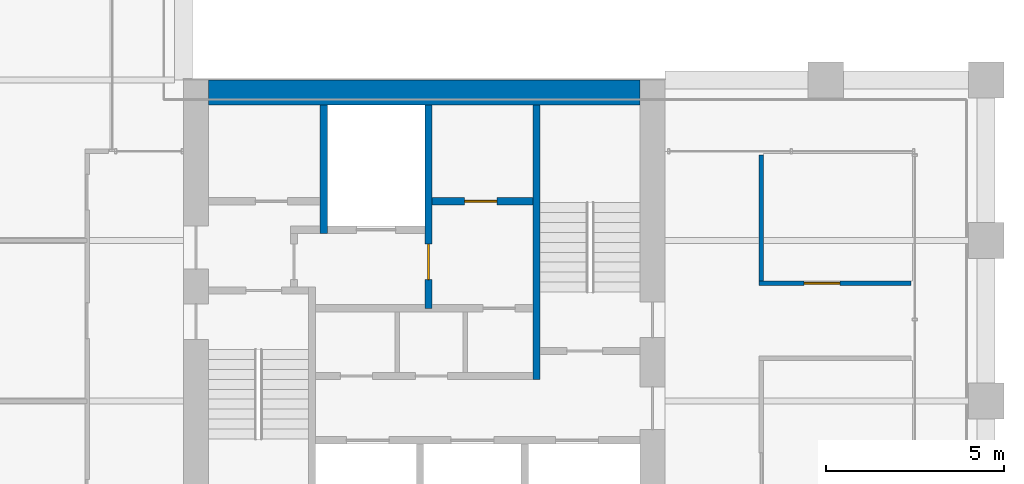
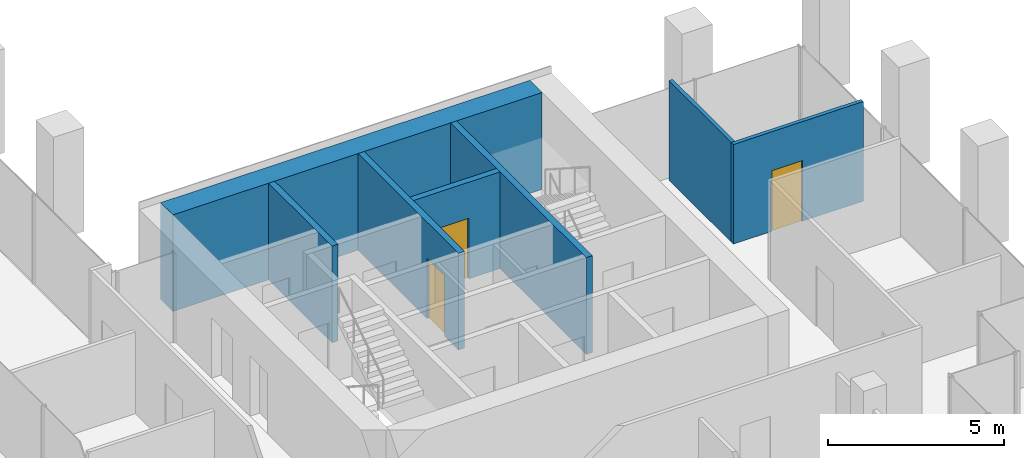
# One storey, part 44 of 47: 7 walls, 3 doors, 3 openings.
"""IFC4 building model written with IfcOpenShell, lengths in metres."""

import ifcopenshell
import ifcopenshell.guid

model = None  # the IFC model being written
_history = None  # IfcOwnerHistory: only IFC2X3 demands one
_inside = {}  # id of a spatial element -> (the spatial element, [elements in it])
_under = {}  # id of a project, library or spatial element -> (it, [spatial elements below it])
_declared = {}  # id of a project -> (the project, [libraries it declares])
_typed = {}  # id of a type object -> (the type object, [elements of that type])
_made_of = {}  # id of a material, layer set ... -> (it, [elements and type objects made of it])


def new_model(schema):
    """Start an empty IFC model of exactly this schema.

    Asked for "IFC4X3", IfcOpenShell would pick the latest addendum, in which some entities
    have other attributes; the version numbers below select the first issue.
    IFC2X3 requires an IfcOwnerHistory on every rooted entity: one is made here for all.
    """
    global model, _history
    if schema == "IFC4X3":
        model = ifcopenshell.file(schema_version=(4, 3, 0, 0))
    else:
        model = ifcopenshell.file(schema=schema)
    _inside.clear()
    _under.clear()
    _declared.clear()
    _typed.clear()
    _made_of.clear()
    _history = None
    if model.schema == "IFC2X3":
        org = make("IfcOrganization", Name="unknown")
        user = make(
            "IfcPersonAndOrganization",
            ThePerson=make("IfcPerson", FamilyName="unknown"),
            TheOrganization=org,
        )
        app = make(
            "IfcApplication",
            ApplicationDeveloper=org,
            Version="unknown",
            ApplicationFullName="unknown",
            ApplicationIdentifier="unknown",
        )
        _history = make(
            "IfcOwnerHistory",
            OwningUser=user,
            OwningApplication=app,
            ChangeAction="ADDED",
            CreationDate=0,
        )
    return model


def make(cls, **values):
    """One entity of the class cls with the attributes given. An attribute that is None is left unset."""
    return model.create_entity(
        cls, **{name: value for name, value in values.items() if value is not None}
    )


def rooted(cls, **values):
    """An entity with a GlobalId (a new one), such as an element, a storey or a relation."""
    return make(cls, GlobalId=ifcopenshell.guid.new(), OwnerHistory=_history, **values)


def si_unit(unit_type, name, prefix=None):
    """IfcSIUnit, for example si_unit("LENGTHUNIT", "METRE", prefix="MILLI")."""
    return make("IfcSIUnit", UnitType=unit_type, Prefix=prefix, Name=name)


def assignment(units):
    """IfcUnitAssignment: the units of a project."""
    return None if units is None else make("IfcUnitAssignment", Units=units)


def point(xyz):
    """IfcCartesianPoint."""
    return None if xyz is None else make("IfcCartesianPoint", Coordinates=xyz)


def direction(xyz):
    """IfcDirection."""
    return None if xyz is None else make("IfcDirection", DirectionRatios=xyz)


def frame(location, z_axis=None, x_axis=None):
    """IfcAxis2Placement3D, a coordinate frame: its origin and axes. An axis left out is left unset."""
    return make(
        "IfcAxis2Placement3D",
        Location=point(location),
        Axis=direction(z_axis),
        RefDirection=direction(x_axis),
    )


def frame_2d(location, x_axis=None):
    """IfcAxis2Placement2D, a coordinate frame in the plane: its origin and x axis."""
    return make(
        "IfcAxis2Placement2D", Location=point(location), RefDirection=direction(x_axis)
    )


def origin():
    """The frame at (0, 0, 0) with its axes left unset."""
    return frame((0.0, 0.0, 0.0))


def place(relative_to, where):
    """IfcLocalPlacement: puts the frame where relative to a parent placement (None: the world)."""
    return make(
        "IfcLocalPlacement", PlacementRelTo=relative_to, RelativePlacement=where
    )


def context(
    kind, dimensions, precision=None, world=None, true_north=None, identifier=None
):
    """IfcGeometricRepresentationContext, for example the 3D "Model" context."""
    return make(
        "IfcGeometricRepresentationContext",
        ContextIdentifier=identifier,
        ContextType=kind,
        CoordinateSpaceDimension=dimensions,
        Precision=precision,
        WorldCoordinateSystem=world,
        TrueNorth=true_north,
    )


def subcontext(parent, identifier, kind, view, scale=None):
    """IfcGeometricRepresentationSubContext, for example "Body" below "Model"."""
    return make(
        "IfcGeometricRepresentationSubContext",
        ContextIdentifier=identifier,
        ContextType=kind,
        ParentContext=parent,
        TargetScale=scale,
        TargetView=view,
    )


def project(units=None, contexts=None):
    """IfcProject with its units and contexts."""
    return rooted(
        "IfcProject",
        Name="project",
        RepresentationContexts=contexts,
        UnitsInContext=assignment(units),
    )


def spatial(cls, under=None, at=None, **own):
    """A site, building, storey or space (cls), placed at a placement, below another one or the project."""
    s = rooted(cls, ObjectPlacement=at, **own)
    if under is not None:
        _under.setdefault(under.id(), (under, []))[1].append(s)
    return s


def profile(cls, at=None, kind="AREA", **sizes):
    """A parametric profile (cls). Its sizes go by their IFC names, for example OverallWidth=200.0."""
    return make(cls, ProfileType=kind, Position=at, **sizes)


def rectangle(**sizes):
    """IfcRectangleProfileDef."""
    return profile("IfcRectangleProfileDef", **sizes)


def extrude(swept, where, along, depth):
    """IfcExtrudedAreaSolid: the profile swept, set in the frame where, extruded along a direction by depth."""
    return make(
        "IfcExtrudedAreaSolid",
        SweptArea=swept,
        Position=where,
        ExtrudedDirection=direction(along),
        Depth=depth,
    )


def shape(context_of_items, identifier, shape_type, items):
    """IfcShapeRepresentation: the items that make up one representation, for example the "Body"."""
    return make(
        "IfcShapeRepresentation",
        ContextOfItems=context_of_items,
        RepresentationIdentifier=identifier,
        RepresentationType=shape_type,
        Items=items,
    )


def material(Name=None, Category=None):
    """IfcMaterial."""
    return make("IfcMaterial", Name=Name, Category=Category)


def layer(
    of_material, thickness, ventilated=None, Name=None, Category=None, Priority=None
):
    """IfcMaterialLayer: one layer of a wall or slab, of a material (None: an air gap)."""
    return make(
        "IfcMaterialLayer",
        Material=of_material,
        LayerThickness=thickness,
        IsVentilated=ventilated,
        Name=Name,
        Category=Category,
        Priority=Priority,
    )


def layer_set(layers, Name=None):
    """IfcMaterialLayerSet."""
    return make("IfcMaterialLayerSet", MaterialLayers=layers, LayerSetName=Name)


def made_of(thing, what):
    """Note that an element or type object is made of a material, layer set ...; save() writes the relation."""
    if what is not None:
        _made_of.setdefault(what.id(), (what, []))[1].append(thing)
    return thing


def type_object(cls, material=None, **own):
    """A type object (cls), such as IfcWallType, which elements share."""
    return made_of(rooted(cls, **own), material)


def element(
    cls,
    number,
    at=None,
    inside=None,
    cuts=None,
    type_object=None,
    material=None,
    context=None,
    identifier="Body",
    shape_type=None,
    held_by="IfcProductDefinitionShape",
    body=None,
    shapes=None,
    **own,
):
    """One element of the class cls, such as IfcWall. Its Tag is "e" and its number.

    at: its placement. inside: the storey or other place that contains it. cuts: it is an
    opening in that element (IfcRelVoidsElement). A single representation is given by context,
    identifier, shape_type and body (its items); several are given by shapes. held_by: the class
    of the entity that holds the representations. save() writes the other relations.
    """
    e = rooted(cls, Tag="e%d" % number, ObjectPlacement=at, **own)
    if body is not None:
        shapes = [shape(context, identifier, shape_type, body)]
    if shapes is not None:
        e.Representation = make(held_by, Representations=shapes)
    if inside is not None:
        _inside.setdefault(inside.id(), (inside, []))[1].append(e)
    if cuts is not None:
        rooted(
            "IfcRelVoidsElement", RelatingBuildingElement=cuts, RelatedOpeningElement=e
        )
    if type_object is not None:
        _typed.setdefault(type_object.id(), (type_object, []))[1].append(e)
    return made_of(e, material)


def fill(opening, filler):
    """IfcRelFillsElement: the door or window that sits in an opening."""
    return rooted(
        "IfcRelFillsElement",
        RelatingOpeningElement=opening,
        RelatedBuildingElement=filler,
    )


def aggregate(whole, parts):
    """IfcRelAggregates: a whole, such as a stair, and the parts it consists of."""
    return rooted("IfcRelAggregates", RelatingObject=whole, RelatedObjects=parts)


def save(model, path):
    """Write the relations noted so far, then the file.

    IfcRelAggregates (storeys below a building ...), IfcRelContainedInSpatialStructure (elements
    in a storey), IfcRelDefinesByType, IfcRelAssociatesMaterial and IfcRelDeclares: one each for
    every whole, place, type object, material and project.
    """
    for whole, parts in _under.values():
        aggregate(whole, parts)
    for where, things in _inside.values():
        rooted(
            "IfcRelContainedInSpatialStructure",
            RelatedElements=things,
            RelatingStructure=where,
        )
    for kind, things in _typed.values():
        rooted("IfcRelDefinesByType", RelatedObjects=things, RelatingType=kind)
    for what, things in _made_of.values():
        rooted("IfcRelAssociatesMaterial", RelatedObjects=things, RelatingMaterial=what)
    for by, libraries in _declared.values():
        rooted("IfcRelDeclares", RelatingContext=by, RelatedDefinitions=libraries)
    model.write(path)


model = new_model("IFC4")

# Units and contexts
model_context = context("Model", 3, precision=1e-05, world=origin(), true_north=direction((0.0, 1.0)))
body_context = subcontext(model_context, "Body", "Model", "MODEL_VIEW")
ifc_project = project(units=[si_unit("LENGTHUNIT", "METRE"), si_unit("AREAUNIT", "SQUARE_METRE"), si_unit("VOLUMEUNIT", "CUBIC_METRE"), si_unit("PLANEANGLEUNIT", "RADIAN"), si_unit("MASSUNIT", "GRAM", prefix="KILO")], contexts=[model_context])

# Site, building, storey
site_placement = place(None, origin())
site = spatial("IfcSite", under=ifc_project, at=site_placement, CompositionType="ELEMENT")
building_placement = place(site_placement, origin())
building = spatial("IfcBuilding", under=site, at=building_placement, Name="Altepetl Exchange Towers", CompositionType="ELEMENT")
storey_placement = place(building_placement, frame((0.0, 0.0, 99.199951171875)))
storey = spatial("IfcBuildingStorey", under=building, at=storey_placement, Name="L24", CompositionType="ELEMENT", Elevation=99.199951171875)

# Wall
ifc_material_1 = material(Name="Concrete C70/85", Category="concrete")
ifc_layer_1 = layer(ifc_material_1, 0.699951171875)
ifc_layer_set_1 = layer_set([ifc_layer_1], Name="Concrete C70/85")
wall_type_1 = type_object("IfcWallType", Name="Core wall 700 reinforced concrete external", PredefinedType="SHEAR", material=ifc_layer_set_1)
wall_1_placement = place(storey_placement, frame((104.199951171875, 49.14990234375, 0.0)))
element("IfcWall", 1, at=wall_1_placement, inside=storey, type_object=wall_type_1, Name="wall:B:L24:K-coreN", PredefinedType="SHEAR", context=body_context, shape_type="SweptSolid", body=[
    extrude(rectangle(XDim=12.10009765625, YDim=0.699951171875, at=frame_2d((6.050048828125, 0.0))), origin(), (0.0, 0.0, 1.0), 3.35009765625),
])

# Wall, opening, door
ifc_material_2 = material(Name="Gypsum board on steel studs", Category="steel")
ifc_layer_2 = layer(ifc_material_2, 0.125)
ifc_layer_set_2 = layer_set([ifc_layer_2], Name="Gypsum board on steel studs")
wall_type_2 = type_object("IfcWallType", Name="Partition 125 gypsum board on steel studs", PredefinedType="PARTITIONING", material=ifc_layer_set_2)
wall_2_placement = place(storey_placement, frame((119.637451171875, 43.800048828125, 0.0)))
wall_2 = element("IfcWall", 2, at=wall_2_placement, inside=storey, type_object=wall_type_2, Name="wall:B:L24:P07", PredefinedType="PARTITIONING", context=body_context, shape_type="SweptSolid", body=[
    extrude(rectangle(XDim=4.262451171875, YDim=0.125, at=frame_2d((2.13134765625, 0.0))), origin(), (0.0, 0.0, 1.0), 3.449951171875),
])
opening_1_placement = place(wall_2_placement, frame((1.259521484375, 0.0, 0.0)))
opening_1 = element("IfcOpeningElement", 3, at=opening_1_placement, cuts=wall_2, Name="Opening L24.B08", PredefinedType="OPENING", context=body_context, shape_type="SweptSolid", body=[
    extrude(rectangle(XDim=1.0, YDim=2.10009765625, at=frame_2d((0.5, 1.050048828125))), frame((0.0, 0.072509765625, 0.0), z_axis=(0.0, -1.0, 0.0), x_axis=(1.0, 0.0, 0.0)), (0.0, 0.0, 1.0), 0.14501953125),
])
ifc_material_3 = material(Name="Steel and timber fire door", Category="steel")
door_type_1 = type_object("IfcDoorType", Name="Fire door 1000 x 2100 single leaf", OperationType="SINGLE_SWING_LEFT", PredefinedType="DOOR", material=ifc_material_3)
door_1_placement = place(opening_1_placement, origin())
door_1 = element("IfcDoor", 4, at=door_1_placement, inside=storey, type_object=door_type_1, Name="door:B:L24:08", OperationType="SINGLE_SWING_LEFT", OverallHeight=2.10009765625, OverallWidth=1.0, PredefinedType="DOOR", context=body_context, shape_type="SweptSolid", body=[
    extrude(rectangle(XDim=1.0, YDim=2.10009765625, at=frame_2d((0.5, 1.050048828125))), frame((0.0, 0.02490234375, 0.0), z_axis=(0.0, -1.0, 0.0), x_axis=(1.0, 0.0, 0.0)), (0.0, 0.0, 1.0), 0.050048828125),
])
fill(opening_1, door_1)

# Walls
wall_3_placement = place(storey_placement, frame((119.699951171875, 43.862548828125, 0.0), z_axis=(0.0, 0.0, 1.0), x_axis=(0.0, 1.0, 0.0)))
element("IfcWall", 5, at=wall_3_placement, inside=storey, type_object=wall_type_2, Name="wall:B:L24:P16", PredefinedType="PARTITIONING", context=body_context, shape_type="SweptSolid", body=[
    extrude(rectangle(XDim=3.537353515625, YDim=0.125, at=frame_2d((1.7685546875, 0.0))), origin(), (0.0, 0.0, 1.0), 3.449951171875),
])
ifc_material_4 = material(Name="Concrete C40/50", Category="concrete")
ifc_layer_3 = layer(ifc_material_4, 0.199951171875)
ifc_layer_set_3 = layer_set([ifc_layer_3], Name="Concrete C40/50")
wall_type_3 = type_object("IfcWallType", Name="Shaft wall 200 reinforced concrete", PredefinedType="SHEAR", material=ifc_layer_set_3)
wall_4_placement = place(storey_placement, frame((107.433349609375, 48.800048828125, 0.0), z_axis=(0.0, 0.0, 1.0), x_axis=(0.0, -1.0, 0.0)))
element("IfcWall", 6, at=wall_4_placement, inside=storey, type_object=wall_type_3, Name="wall:B:L24:K-divN1", PredefinedType="SHEAR", context=body_context, shape_type="SweptSolid", body=[
    extrude(rectangle(XDim=3.60009765625, YDim=0.199951171875, at=frame_2d((1.800048828125, 0.0))), origin(), (0.0, 0.0, 1.0), 3.35009765625),
])

# Wall, opening, door
wall_5_placement = place(storey_placement, frame((110.36669921875, 48.800048828125, 0.0), z_axis=(0.0, 0.0, 1.0), x_axis=(0.0, -1.0, 0.0)))
wall_5 = element("IfcWall", 7, at=wall_5_placement, inside=storey, type_object=wall_type_3, Name="wall:B:L24:K-divN2", PredefinedType="SHEAR", context=body_context, shape_type="SweptSolid", body=[
    extrude(rectangle(XDim=5.699951171875, YDim=0.199951171875, at=frame_2d((2.85009765625, 0.0))), origin(), (0.0, 0.0, 1.0), 3.35009765625),
])
opening_2_placement = place(wall_5_placement, frame((3.89990234375, 0.0, 0.0)))
opening_2 = element("IfcOpeningElement", 8, at=opening_2_placement, cuts=wall_5, Name="Opening L24.B66", PredefinedType="OPENING", context=body_context, shape_type="SweptSolid", body=[
    extrude(rectangle(XDim=1.0, YDim=2.10009765625, at=frame_2d((0.5, 1.050048828125))), frame((0.0, 0.10986328125, 0.0), z_axis=(0.0, -1.0, 0.0), x_axis=(1.0, 0.0, 0.0)), (0.0, 0.0, 1.0), 0.219970703125),
])
door_type_2 = type_object("IfcDoorType", Name="Fire door 1000 x 2100 stair and lobby", OperationType="SINGLE_SWING_LEFT", PredefinedType="DOOR", material=ifc_material_3)
door_2_placement = place(opening_2_placement, frame((1.0, 0.0, 0.0), x_axis=(-1.0, 0.0, 0.0)))
door_2 = element("IfcDoor", 9, at=door_2_placement, inside=storey, type_object=door_type_2, Name="door:B:L24:K-dffE", OperationType="SINGLE_SWING_RIGHT", OverallHeight=2.10009765625, OverallWidth=1.0, PredefinedType="DOOR", context=body_context, shape_type="SweptSolid", body=[
    extrude(rectangle(XDim=1.0, YDim=2.10009765625, at=frame_2d((0.5, 1.050048828125))), frame((0.0, 0.02490234375, 0.0), z_axis=(0.0, -1.0, 0.0), x_axis=(1.0, 0.0, 0.0)), (0.0, 0.0, 1.0), 0.050048828125),
])
fill(opening_2, door_2)

wall_6_placement = place(storey_placement, frame((110.466796875, 46.10009765625, 0.0)))
wall_6 = element("IfcWall", 10, at=wall_6_placement, inside=storey, type_object=wall_type_3, Name="wall:B:L24:K-frontNb", PredefinedType="SHEAR", context=body_context, shape_type="SweptSolid", body=[
    extrude(rectangle(XDim=2.833251953125, YDim=0.199951171875, at=frame_2d((1.41650390625, 0.0))), origin(), (0.0, 0.0, 1.0), 3.35009765625),
])
opening_3_placement = place(wall_6_placement, frame((0.91650390625, 0.0, 0.0)))
opening_3 = element("IfcOpeningElement", 11, at=opening_3_placement, cuts=wall_6, Name="Opening L24.B69", PredefinedType="OPENING", context=body_context, shape_type="SweptSolid", body=[
    extrude(rectangle(XDim=0.89990234375, YDim=2.10009765625, at=frame_2d((0.449951171875, 1.050048828125))), frame((0.0, 0.10986328125, 0.0), z_axis=(0.0, -1.0, 0.0), x_axis=(1.0, 0.0, 0.0)), (0.0, 0.0, 1.0), 0.219970703125),
])
door_type_3 = type_object("IfcDoorType", Name="Fire door 900 x 2100 service room", OperationType="SINGLE_SWING_LEFT", PredefinedType="DOOR", material=ifc_material_3)
door_3_placement = place(opening_3_placement, origin())
door_3 = element("IfcDoor", 12, at=door_3_placement, inside=storey, type_object=door_type_3, Name="door:B:L24:K-dslotN2", OperationType="SINGLE_SWING_RIGHT", OverallHeight=2.10009765625, OverallWidth=0.89990234375, PredefinedType="DOOR", context=body_context, shape_type="SweptSolid", body=[
    extrude(rectangle(XDim=0.89990234375, YDim=2.10009765625, at=frame_2d((0.449951171875, 1.050048828125))), frame((0.0, 0.02490234375, 0.0), z_axis=(0.0, -1.0, 0.0), x_axis=(1.0, 0.0, 0.0)), (0.0, 0.0, 1.0), 0.050048828125),
])
fill(opening_3, door_3)

# Wall
ifc_layer_4 = layer(ifc_material_4, 0.199951171875)
ifc_layer_set_4 = layer_set([ifc_layer_4], Name="Concrete C40/50")
wall_type_4 = type_object("IfcWallType", Name="Stair wall 200 reinforced concrete", PredefinedType="SHEAR", material=ifc_layer_set_4)
wall_7_placement = place(storey_placement, frame((113.39990234375, 41.10009765625, 0.0), z_axis=(0.0, 0.0, 1.0), x_axis=(0.0, 1.0, 0.0)))
element("IfcWall", 13, at=wall_7_placement, inside=storey, type_object=wall_type_4, Name="wall:B:L24:K-stS2W", PredefinedType="SHEAR", context=body_context, shape_type="SweptSolid", body=[
    extrude(rectangle(XDim=7.699951171875, YDim=0.199951171875, at=frame_2d((3.85009765625, 0.0))), origin(), (0.0, 0.0, 1.0), 3.35009765625),
])

save(model, "model.ifc")
